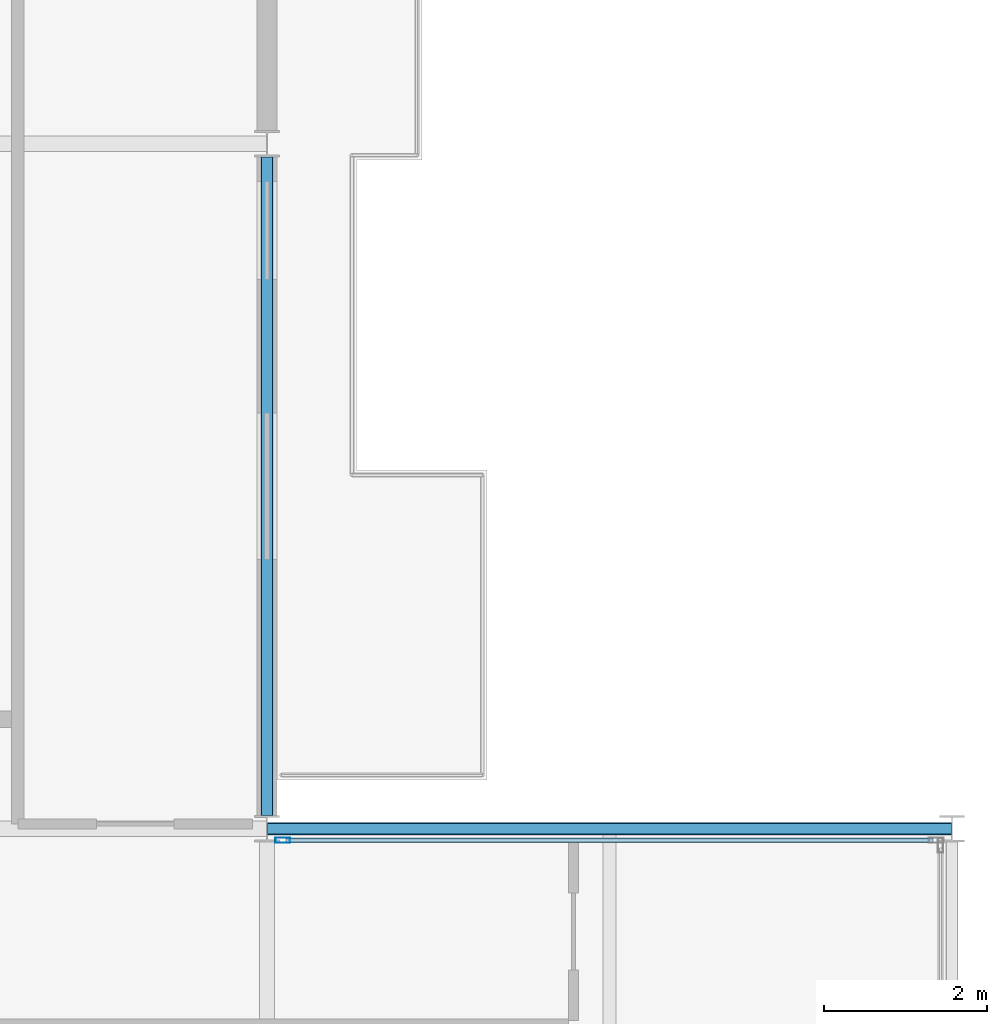
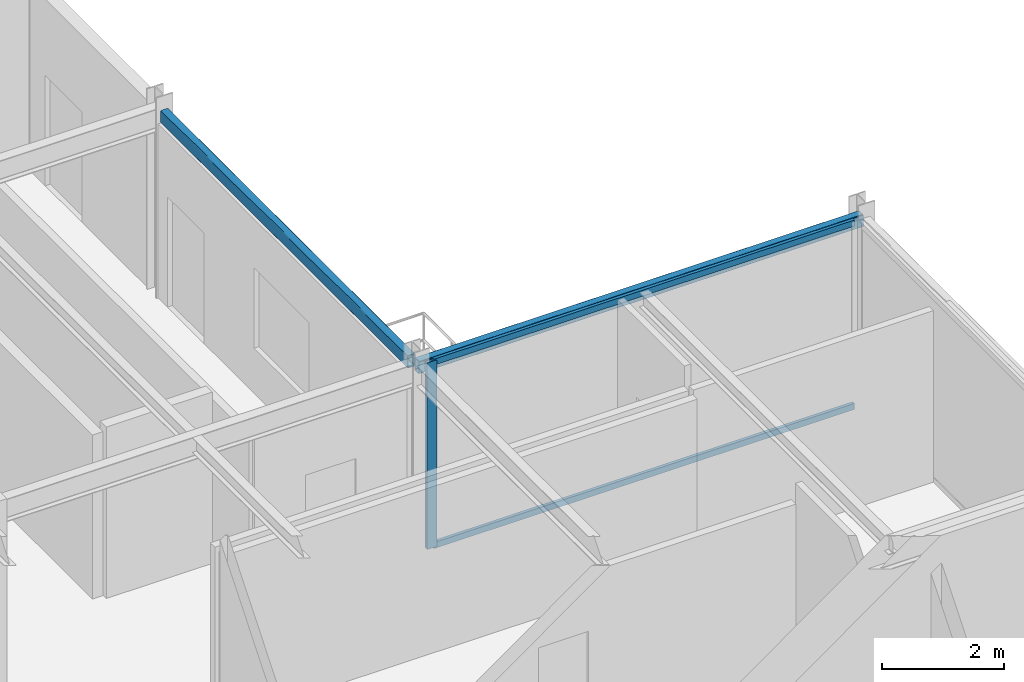
# One storey, part 13 of 24: 3 members, 2 beams, 1 element without a shape of its own.
"""IFC4 building model written with IfcOpenShell, lengths in metres."""

from ifc_helpers import new_model, si_unit, direction, frame, origin, origin_2d, place, context, subcontext, project, spatial, hollow_rectangle, extrude, material, layer, layer_set, material_profile, profile_set, type_object, element, aggregate, save


model = new_model("IFC4")

# Units and contexts
model_context = context("Model", 3, precision=1e-05, world=origin(), true_north=direction((0.0, 1.0)))
body_context = subcontext(model_context, "Body", "Model", "MODEL_VIEW")
ifc_project = project(units=[si_unit("LENGTHUNIT", "METRE"), si_unit("AREAUNIT", "SQUARE_METRE"), si_unit("VOLUMEUNIT", "CUBIC_METRE"), si_unit("PLANEANGLEUNIT", "RADIAN"), si_unit("MASSUNIT", "GRAM", prefix="KILO")], contexts=[model_context])

# Site, building, storey
site_placement = place(None, origin())
site = spatial("IfcSite", under=ifc_project, at=site_placement, CompositionType="ELEMENT")
building_placement = place(site_placement, origin())
building = spatial("IfcBuilding", under=site, at=building_placement, Name="Nerrivon Quay Data Exchange", CompositionType="ELEMENT")
storey_placement = place(building_placement, frame((0.0, 0.0, 294.199951171875)))
storey = spatial("IfcBuildingStorey", under=building, at=storey_placement, Name="L70", CompositionType="ELEMENT", Elevation=294.199951171875)

# Beams
ifc_material_1 = material(Name="Steel Grade C350L0 (350 MPa)", Category="steel")
ifc_material_profile_1 = material_profile(ifc_material_1, hollow_rectangle(XDim=0.14990234375, YDim=0.25, WallThickness=0.009033203125, InnerFilletRadius=0.013427734375, OuterFilletRadius=0.0224609375, at=origin_2d()), Name="250x150x9.0RHS")
ifc_profile_set_1 = profile_set([ifc_material_profile_1], Name="Steel Grade C350L0 (350 MPa)")
beam_type = type_object("IfcBeamType", Name="BM-SP4-250x150RHS", PredefinedType="SPANDREL", material=ifc_profile_set_1)
beam_1_placement = place(storey_placement, frame((25.2080078125, 25.199951171875, 3.60009765625), z_axis=(1.0, 0.0, 0.0), x_axis=(0.0, 1.0, 0.0)))
element("IfcBeam", 1, at=beam_1_placement, inside=storey, type_object=beam_type, Name="L70 EW Girder Y=25.2 (25.2..33.6)", PredefinedType="SPANDREL", context=body_context, shape_type="SweptSolid", body=[
    extrude(hollow_rectangle(XDim=0.14990234375, YDim=0.25, WallThickness=0.009033203125, InnerFilletRadius=0.013427734375, OuterFilletRadius=0.0224609375, at=origin_2d()), origin(), (0.0, 0.0, 1.0), 8.38427734375),
])
beam_2_placement = place(storey_placement, frame((25.199951171875, 25.363525390625, 3.60009765625), z_axis=(0.0, 1.0, 0.0), x_axis=(-1.0, 0.0, 0.0)))
element("IfcBeam", 2, at=beam_2_placement, inside=storey, type_object=beam_type, Name="L70 NS Girder X=25.2 (25.2..33.6)", PredefinedType="SPANDREL", context=body_context, shape_type="SweptSolid", body=[
    extrude(hollow_rectangle(XDim=0.14990234375, YDim=0.25, WallThickness=0.009033203125, InnerFilletRadius=0.013427734375, OuterFilletRadius=0.0224609375, at=origin_2d()), origin(), (0.0, 0.0, 1.0), 8.072998046875),
])

# Curtain wall, members
ifc_material_2 = material(Name="Anodised aluminium 6063-T6", Category="aluminium")
ifc_layer = layer(ifc_material_2, 0.195068359375)
ifc_layer_set = layer_set([ifc_layer], Name="Anodised aluminium 6063-T6")
curtain_wall_type = type_object("IfcCurtainWallType", Name="CW-SYS-06", PredefinedType="NOTDEFINED", material=ifc_layer_set)
curtain_wall_placement = place(storey_placement, origin())
curtain_wall = element("IfcCurtainWall", 3, at=curtain_wall_placement, inside=storey, type_object=curtain_wall_type, Name="L70 Unitised Curtain Wall 21", PredefinedType="NOTDEFINED")
ifc_material_profile_2 = material_profile(ifc_material_2, hollow_rectangle(XDim=0.06494140625, YDim=0.179931640625, WallThickness=0.00341796875, at=origin_2d()), Name="ALU-MULL-180x65")
ifc_profile_set_2 = profile_set([ifc_material_profile_2], Name="Anodised aluminium 6063-T6")
member_type_1 = type_object("IfcMemberType", Name="CWM-180x65", PredefinedType="MULLION", material=ifc_profile_set_2)
member_1_placement = place(storey_placement, frame((25.39306640625, 25.06005859375, 0.0), z_axis=(0.0, 0.0, 1.0), x_axis=(0.0, 1.0, 0.0)))
member_1 = element("IfcMember", 4, at=member_1_placement, type_object=member_type_1, Name="CW06 mullion 1", PredefinedType="MULLION", context=body_context, shape_type="SweptSolid", body=[
    extrude(hollow_rectangle(XDim=0.06494140625, YDim=0.179931640625, WallThickness=0.00341796875, at=origin_2d()), origin(), (0.0, 0.0, 1.0), 3.72509765625),
])
ifc_material_profile_3 = material_profile(ifc_material_2, hollow_rectangle(XDim=0.06005859375, YDim=0.1201171875, WallThickness=0.003173828125, at=origin_2d()), Name="ALU-TRAN-120x60")
ifc_profile_set_3 = profile_set([ifc_material_profile_3], Name="Anodised aluminium 6063-T6")
member_type_2 = type_object("IfcMemberType", Name="CWT-120x60", PredefinedType="USERDEFINED", material=ifc_profile_set_3)
member_2_placement = place(storey_placement, frame((25.430419921875, 25.06005859375, 0.032470703125), z_axis=(1.0, 0.0, 0.0), x_axis=(0.0, 1.0, 0.0)))
member_2 = element("IfcMember", 5, at=member_2_placement, type_object=member_type_2, Name="CW06 transom 1.1", ObjectType="TRANSOM", PredefinedType="USERDEFINED", context=body_context, shape_type="SweptSolid", body=[
    extrude(hollow_rectangle(XDim=0.06005859375, YDim=0.1201171875, WallThickness=0.003173828125, at=origin_2d()), origin(), (0.0, 0.0, 1.0), 7.93896484375),
])
member_3_placement = place(storey_placement, frame((25.430419921875, 25.06005859375, 3.692626953125), z_axis=(1.0, 0.0, 0.0), x_axis=(0.0, 1.0, 0.0)))
member_3 = element("IfcMember", 6, at=member_3_placement, type_object=member_type_2, Name="CW06 transom 1.2", ObjectType="TRANSOM", PredefinedType="USERDEFINED", context=body_context, shape_type="SweptSolid", body=[
    extrude(hollow_rectangle(XDim=0.06005859375, YDim=0.1201171875, WallThickness=0.003173828125, at=origin_2d()), origin(), (0.0, 0.0, 1.0), 7.93896484375),
])
aggregate(curtain_wall, [member_1, member_2, member_3])

save(model, "model.ifc")
